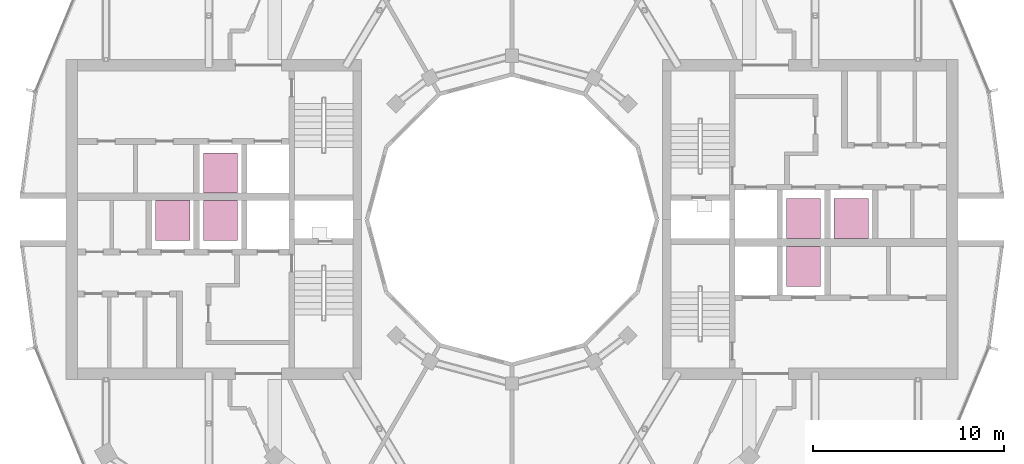
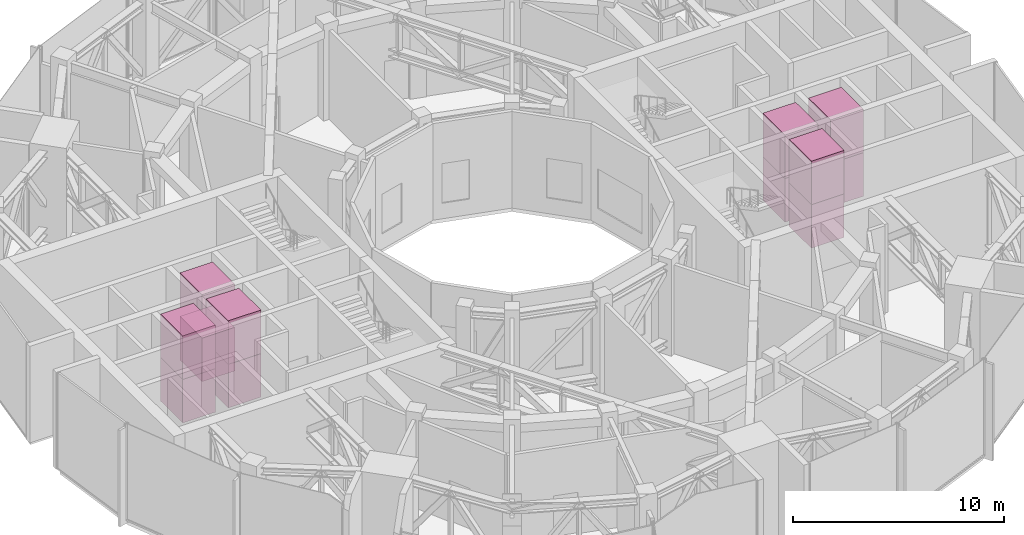
# One storey, part 18 of 18: 12 transport elements.
"""IFC4 building model written with IfcOpenShell, lengths in metres."""

from ifc_helpers import new_model, si_unit, direction, frame, origin, origin_2d, place, context, subcontext, project, spatial, rectangle, extrude, material, type_object, element, save


model = new_model("IFC4")

# Units and contexts
model_context = context("Model", 3, precision=1e-05, world=origin(), true_north=direction((0.0, 1.0)))
body_context = subcontext(model_context, "Body", "Model", "MODEL_VIEW")
ifc_project = project(units=[si_unit("LENGTHUNIT", "METRE"), si_unit("AREAUNIT", "SQUARE_METRE"), si_unit("VOLUMEUNIT", "CUBIC_METRE"), si_unit("PLANEANGLEUNIT", "RADIAN"), si_unit("MASSUNIT", "GRAM", prefix="KILO")], contexts=[model_context])

# Site, building, storey
site_placement = place(None, origin())
site = spatial("IfcSite", under=ifc_project, at=site_placement, CompositionType="ELEMENT")
building_placement = place(site_placement, origin())
building = spatial("IfcBuilding", under=site, at=building_placement, Name="Torre Brocal", CompositionType="ELEMENT")
storey_placement = place(building_placement, frame((0.0, 0.0, 206.89990234375)))
storey = spatial("IfcBuildingStorey", under=building, at=storey_placement, Name="L48", CompositionType="ELEMENT", Elevation=206.89990234375)

# Transport elements
ifc_material = material(Name="Stainless steel AISI 316", Category="steel")
transport_element_type = type_object("IfcTransportElementType", Name="PASSENGER LIFT", PredefinedType="ELEVATOR", material=ifc_material)
for number, where, z_axis, x_axis, name in (
    (1, (95.300048828125, 75.050048828125, 0.000244140625), (0.0, 0.0, 1.0), (1.0, 0.0, 0.0), "HIGH RISE LIFT E-HR1"),
    (2, (95.300048828125, 75.050048828125, 2.525146484375), (0.0, 0.0, 1.0), (1.0, 0.0, 0.0), "HIGH RISE LIFT E-HR1"),
    (3, (95.300048828125, 72.550048828125, 0.000244140625), (0.0, 0.0, 1.0), (1.0, 0.0, 0.0), "HIGH RISE LIFT E-HR2"),
    (4, (95.300048828125, 72.550048828125, 2.525146484375), (0.0, 0.0, 1.0), (1.0, 0.0, 0.0), "HIGH RISE LIFT E-HR2"),
    (5, (97.800048828125, 75.050048828125, 0.000244140625), (0.0, 0.0, 1.0), (1.0, 0.0, 0.0), "HIGH RISE LIFT E-HR3"),
    (6, (97.800048828125, 75.050048828125, 2.525146484375), (0.0, 0.0, 1.0), (1.0, 0.0, 0.0), "HIGH RISE LIFT E-HR3"),
    (7, (64.699951171875, 74.949951171875, 0.000244140625), (0.0, 0.0, 1.0), (1.0, 0.0, 0.0), "HIGH RISE LIFT W-HR1"),
    (8, (64.699951171875, 74.949951171875, 2.525146484375), (0.0, 0.0, 1.0), (1.0, 0.0, 0.0), "HIGH RISE LIFT W-HR1"),
    (9, (64.699951171875, 77.449951171875, 0.000244140625), (0.0, 0.0, 1.0), (1.0, 0.0, 0.0), "HIGH RISE LIFT W-HR2"),
    (10, (64.699951171875, 77.449951171875, 2.525146484375), (0.0, 0.0, 1.0), (1.0, 0.0, 0.0), "HIGH RISE LIFT W-HR2"),
    (11, (62.199951171875, 74.949951171875, 0.000244140625), (0.0, 0.0, 1.0), (1.0, 0.0, 0.0), "HIGH RISE LIFT W-HR3"),
    (12, (62.199951171875, 74.949951171875, 2.525146484375), (0.0, 0.0, 1.0), (1.0, 0.0, 0.0), "HIGH RISE LIFT W-HR3"),
):
    element("IfcTransportElement", number, at=place(storey_placement, frame(where, z_axis=z_axis, x_axis=x_axis)), inside=storey, type_object=transport_element_type, Name=name, PredefinedType="ELEVATOR", context=body_context, shape_type="SweptSolid", body=[
        extrude(rectangle(XDim=1.800048828125, YDim=2.10009765625, at=origin_2d()), origin(), (0.0, 0.0, 1.0), 2.52490234375),
    ])

save(model, "model.ifc")
